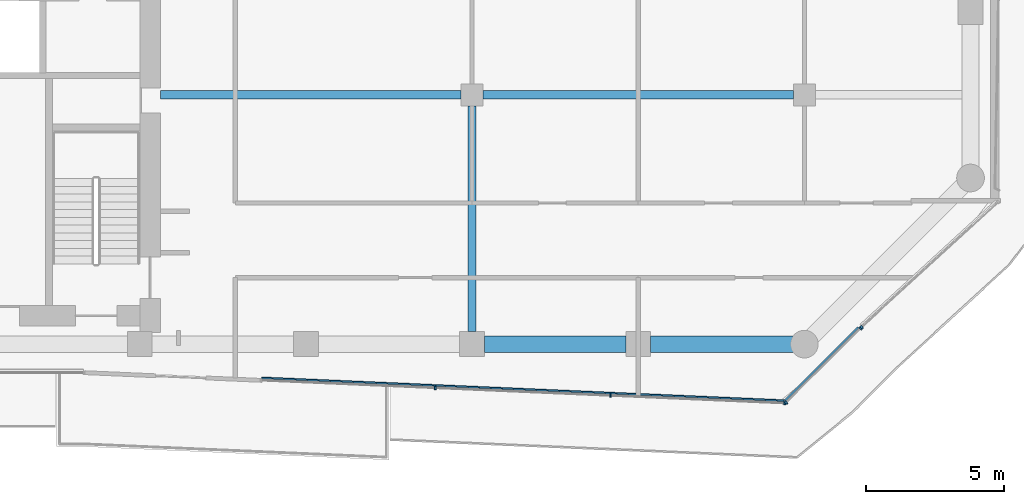
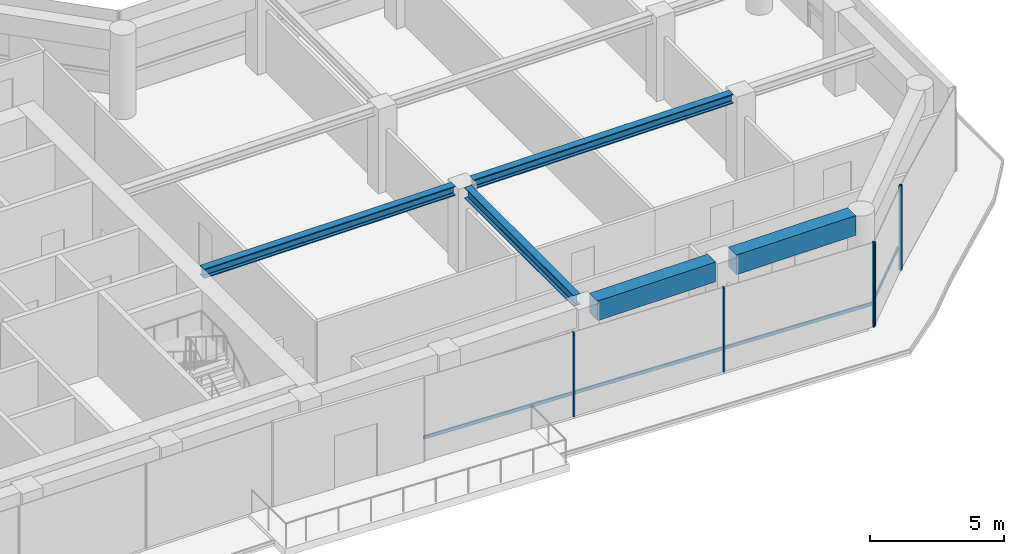
# One storey, part 6 of 25: 8 members, 5 beams, 3 elements without a shape of their own.
"""IFC4 building model written with IfcOpenShell, lengths in metres."""

from ifc_helpers import new_model, si_unit, direction, frame, origin, origin_2d, place, context, subcontext, project, spatial, rectangle, i_section, extrude, material, layer, layer_set, material_profile, profile_set, type_object, element, aggregate, save


model = new_model("IFC4")

# Units and contexts
model_context = context("Model", 3, precision=1e-05, world=origin(), true_north=direction((0.0, 1.0)))
body_context = subcontext(model_context, "Body", "Model", "MODEL_VIEW")
ifc_project = project(units=[si_unit("LENGTHUNIT", "METRE"), si_unit("AREAUNIT", "SQUARE_METRE"), si_unit("VOLUMEUNIT", "CUBIC_METRE"), si_unit("PLANEANGLEUNIT", "RADIAN"), si_unit("MASSUNIT", "GRAM", prefix="KILO")], contexts=[model_context])

# Site, building, storey
site_placement = place(None, origin())
site = spatial("IfcSite", under=ifc_project, at=site_placement, CompositionType="ELEMENT")
building_placement = place(site_placement, origin())
building = spatial("IfcBuilding", under=site, at=building_placement, Name="Welwitschia Terrace Campus", CompositionType="ELEMENT")
storey_placement = place(building_placement, frame((0.0, 0.0, 121.39990234375)))
storey = spatial("IfcBuildingStorey", under=building, at=storey_placement, Name="L27", CompositionType="ELEMENT", Elevation=121.39990234375)

# Beams
ifc_material_1 = material(Name="Steel S355", Category="steel")
ifc_material_profile_1 = material_profile(ifc_material_1, i_section(OverallWidth=0.306884765625, OverallDepth=0.431884765625, WebThickness=0.02099609375, FlangeThickness=0.0400390625, FilletRadius=0.027099609375, at=origin_2d()))
ifc_profile_set_1 = profile_set([ifc_material_profile_1], Name="Steel S355")
beam_type_1 = type_object("IfcBeamType", Name="Interior girder HE 400 M", PredefinedType="BEAM", material=ifc_profile_set_1)
beam_1_placement = place(storey_placement, frame((24.7509765625, 13.0, 3.634033203125), z_axis=(1.0, 0.0, 0.0), x_axis=(0.0, 1.0, 0.0)))
element("IfcBeam", 1, at=beam_1_placement, inside=storey, type_object=beam_type_1, Name="Girder GB3", PredefinedType="BEAM", context=body_context, shape_type="SweptSolid", body=[
    extrude(i_section(OverallWidth=0.306884765625, OverallDepth=0.431884765625, WebThickness=0.02099609375, FlangeThickness=0.0400390625, FilletRadius=0.027099609375, at=origin_2d()), origin(), (0.0, 0.0, 1.0), 10.8486328125),
])
beam_2_placement = place(storey_placement, frame((36.400390625, 13.0, 3.634033203125), z_axis=(1.0, 0.0, 0.0), x_axis=(0.0, 1.0, 0.0)))
element("IfcBeam", 2, at=beam_2_placement, inside=storey, type_object=beam_type_1, Name="Girder GB3", PredefinedType="BEAM", context=body_context, shape_type="SweptSolid", body=[
    extrude(i_section(OverallWidth=0.306884765625, OverallDepth=0.431884765625, WebThickness=0.02099609375, FlangeThickness=0.0400390625, FilletRadius=0.027099609375, at=origin_2d()), origin(), (0.0, 0.0, 1.0), 11.19921875),
])

# Curtain wall, members
ifc_material_2 = material(Name="Bronze anodised aluminium", Category="aluminium")
ifc_layer = layer(ifc_material_2, 0.1201171875)
ifc_layer_set = layer_set([ifc_layer], Name="Bronze anodised aluminium")
curtain_wall_type = type_object("IfcCurtainWallType", Name="Curtain wall CW2 tower 6000", PredefinedType="NOTDEFINED", material=ifc_layer_set)
curtain_wall_1_placement = place(storey_placement, origin())
curtain_wall_1 = element("IfcCurtainWall", 3, at=curtain_wall_1_placement, inside=storey, type_object=curtain_wall_type, Name="CW L27.3.1", PredefinedType="NOTDEFINED")
ifc_material_3 = material(Name="Bronze anodised aluminium", Category="aluminium")
ifc_material_profile_2 = material_profile(ifc_material_3, rectangle(XDim=0.1201171875, YDim=0.06005859375, at=origin_2d()))
ifc_profile_set_2 = profile_set([ifc_material_profile_2], Name="Bronze anodised aluminium")
member_type_1 = type_object("IfcMemberType", Name="Mullion 60x120", PredefinedType="MULLION", material=ifc_profile_set_2)
member_1_placement = place(storey_placement, frame((34.6708984375, 2.417724609375, 0.0), z_axis=(0.0, 0.0, 1.0), x_axis=(0.043619387365, 0.999048221582, 0.0)))
member_1 = element("IfcMember", 4, at=member_1_placement, type_object=member_type_1, Name="Mullion L27.3.1.1", PredefinedType="MULLION", context=body_context, shape_type="SweptSolid", body=[
    extrude(rectangle(XDim=0.1201171875, YDim=0.06005859375, at=origin_2d()), origin(), (0.0, 0.0, 1.0), 3.85009765625),
])
member_2_placement = place(storey_placement, frame((40.996337890625, 2.141357421875, 0.0), z_axis=(0.0, 0.0, 1.0), x_axis=(0.043619387365, 0.999048221582, 0.0)))
member_2 = element("IfcMember", 5, at=member_2_placement, type_object=member_type_1, Name="Mullion L27.3.1.2", PredefinedType="MULLION", context=body_context, shape_type="SweptSolid", body=[
    extrude(rectangle(XDim=0.1201171875, YDim=0.06005859375, at=origin_2d()), origin(), (0.0, 0.0, 1.0), 3.85009765625),
])
member_3_placement = place(storey_placement, frame((47.2919921875, 1.86669921875, 0.0), z_axis=(0.0, 0.0, 1.0), x_axis=(0.043619387365, 0.999048221582, 0.0)))
member_3 = element("IfcMember", 6, at=member_3_placement, type_object=member_type_1, Name="Mullion L27.3.1.3", PredefinedType="MULLION", context=body_context, shape_type="SweptSolid", body=[
    extrude(rectangle(XDim=0.1201171875, YDim=0.06005859375, at=origin_2d()), origin(), (0.0, 0.0, 1.0), 3.85009765625),
])

curtain_wall_2_placement = place(storey_placement, origin())
curtain_wall_2 = element("IfcCurtainWall", 7, at=curtain_wall_2_placement, inside=storey, type_object=curtain_wall_type, Name="CW L27.4.0", PredefinedType="NOTDEFINED")
member_4_placement = place(storey_placement, frame((47.343017578125, 1.886474609375, 0.0), z_axis=(0.0, 0.0, 1.0), x_axis=(-0.707106781187, 0.707106781187, 0.0)))
member_4 = element("IfcMember", 8, at=member_4_placement, type_object=member_type_1, Name="Mullion L27.4.0.0", PredefinedType="MULLION", context=body_context, shape_type="SweptSolid", body=[
    extrude(rectangle(XDim=0.1201171875, YDim=0.06005859375, at=origin_2d()), origin(), (0.0, 0.0, 1.0), 3.85009765625),
])
member_5_placement = place(storey_placement, frame((50.026123046875, 4.569580078125, 0.0), z_axis=(0.0, 0.0, 1.0), x_axis=(-0.707106781187, 0.707106781187, 0.0)))
member_5 = element("IfcMember", 9, at=member_5_placement, type_object=member_type_1, Name="Mullion L27.4.0.1", PredefinedType="MULLION", context=body_context, shape_type="SweptSolid", body=[
    extrude(rectangle(XDim=0.1201171875, YDim=0.06005859375, at=origin_2d()), origin(), (0.0, 0.0, 1.0), 3.85009765625),
])

# Curtain wall, member
curtain_wall_3_placement = place(storey_placement, origin())
curtain_wall_3 = element("IfcCurtainWall", 10, at=curtain_wall_3_placement, inside=storey, type_object=curtain_wall_type, Name="CW L27.5.0", PredefinedType="NOTDEFINED")
member_6_placement = place(storey_placement, frame((50.069580078125, 4.611083984375, 0.0), z_axis=(0.0, 0.0, 1.0), x_axis=(-0.675590207616, 0.73727733681, 0.0)))
member_6 = element("IfcMember", 11, at=member_6_placement, type_object=member_type_1, Name="Mullion L27.5.0.0", PredefinedType="MULLION", context=body_context, shape_type="SweptSolid", body=[
    extrude(rectangle(XDim=0.1201171875, YDim=0.06005859375, at=origin_2d()), origin(), (0.0, 0.0, 1.0), 3.85009765625),
])
aggregate(curtain_wall_3, [member_6])

# Beams
ifc_material_4 = material(Name="Steel S355", Category="steel")
ifc_material_profile_3 = material_profile(ifc_material_4, i_section(OverallWidth=0.300048828125, OverallDepth=0.5, WebThickness=0.014404296875, FlangeThickness=0.028076171875, FilletRadius=0.027099609375, at=origin_2d()))
ifc_profile_set_3 = profile_set([ifc_material_profile_3], Name="Steel S355")
beam_type_2 = type_object("IfcBeamType", Name="Primary beam HE 500 B", PredefinedType="BEAM", material=ifc_profile_set_3)
beam_3_placement = place(storey_placement, frame((36.0, 4.450439453125, 3.60009765625), z_axis=(0.0, 1.0, 0.0), x_axis=(-1.0, 0.0, 0.0)))
element("IfcBeam", 12, at=beam_3_placement, inside=storey, type_object=beam_type_2, Name="Primary beam PB3", PredefinedType="BEAM", context=body_context, shape_type="SweptSolid", body=[
    extrude(i_section(OverallWidth=0.300048828125, OverallDepth=0.5, WebThickness=0.014404296875, FlangeThickness=0.028076171875, FilletRadius=0.027099609375, at=origin_2d()), origin(), (0.0, 0.0, 1.0), 8.149169921875),
])
ifc_material_5 = material(Name="Concrete C60/75", Category="concrete")
ifc_material_profile_4 = material_profile(ifc_material_5, rectangle(XDim=0.60009765625, YDim=0.89990234375, at=origin_2d()))
ifc_profile_set_4 = profile_set([ifc_material_profile_4], Name="Concrete C60/75")
beam_type_3 = type_object("IfcBeamType", Name="Ring spandrel 600x900", PredefinedType="SPANDREL", material=ifc_profile_set_4)
beam_4_placement = place(storey_placement, frame((36.450439453125, 4.0, 3.400146484375), z_axis=(1.0, 0.0, 0.0), x_axis=(0.0, 1.0, 0.0)))
element("IfcBeam", 13, at=beam_4_placement, inside=storey, type_object=beam_type_3, Name="Spandrel SP2", PredefinedType="SPANDREL", context=body_context, shape_type="SweptSolid", body=[
    extrude(rectangle(XDim=0.60009765625, YDim=0.89990234375, at=origin_2d()), origin(), (0.0, 0.0, 1.0), 5.09912109375),
])
beam_5_placement = place(storey_placement, frame((42.450439453125, 4.0, 3.400146484375), z_axis=(1.0, 0.0, 0.0), x_axis=(0.0, 1.0, 0.0)))
element("IfcBeam", 14, at=beam_5_placement, inside=storey, type_object=beam_type_3, Name="Spandrel SP2", PredefinedType="SPANDREL", context=body_context, shape_type="SweptSolid", body=[
    extrude(rectangle(XDim=0.60009765625, YDim=0.89990234375, at=origin_2d()), origin(), (0.0, 0.0, 1.0), 5.149169921875),
])

# Member
ifc_material_6 = material(Name="Bronze anodised aluminium", Category="aluminium")
ifc_material_profile_5 = material_profile(ifc_material_6, rectangle(XDim=0.06005859375, YDim=0.14990234375, at=origin_2d()))
ifc_profile_set_5 = profile_set([ifc_material_profile_5], Name="Bronze anodised aluminium")
member_type_2 = type_object("IfcMemberType", Name="Transom 60x150", PredefinedType="USERDEFINED", material=ifc_profile_set_5)
member_7_placement = place(storey_placement, frame((28.4091796875, 2.781005859375, 1.0), z_axis=(0.999048356998, -0.043616285715, 0.0), x_axis=(0.043616285715, 0.999048356998, 0.0)))
member_7 = element("IfcMember", 15, at=member_7_placement, type_object=member_type_2, Name="Transom L27.3.1", ObjectType="TRANSOM", PredefinedType="USERDEFINED", context=body_context, shape_type="SweptSolid", body=[
    extrude(rectangle(XDim=0.06005859375, YDim=0.14990234375, at=origin_2d()), origin(), (0.0, 0.0, 1.0), 18.874755859375),
])

aggregate(curtain_wall_1, [member_1, member_2, member_3, member_7])

member_8_placement = place(storey_placement, frame((47.30078125, 1.971435546875, 1.0), z_axis=(0.707106781187, 0.707106781187, 0.0), x_axis=(-0.707106781187, 0.707106781187, 0.0)))
member_8 = element("IfcMember", 16, at=member_8_placement, type_object=member_type_2, Name="Transom L27.4.0", ObjectType="TRANSOM", PredefinedType="USERDEFINED", context=body_context, shape_type="SweptSolid", body=[
    extrude(rectangle(XDim=0.06005859375, YDim=0.14990234375, at=origin_2d()), origin(), (0.0, 0.0, 1.0), 3.734375),
])

aggregate(curtain_wall_2, [member_4, member_5, member_8])

save(model, "model.ifc")
